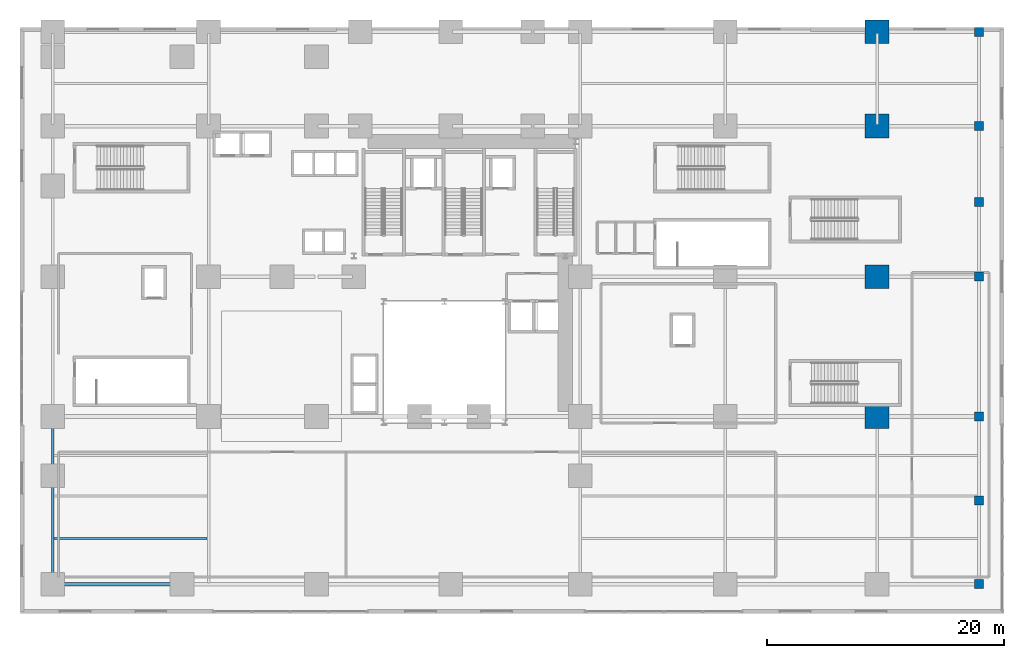
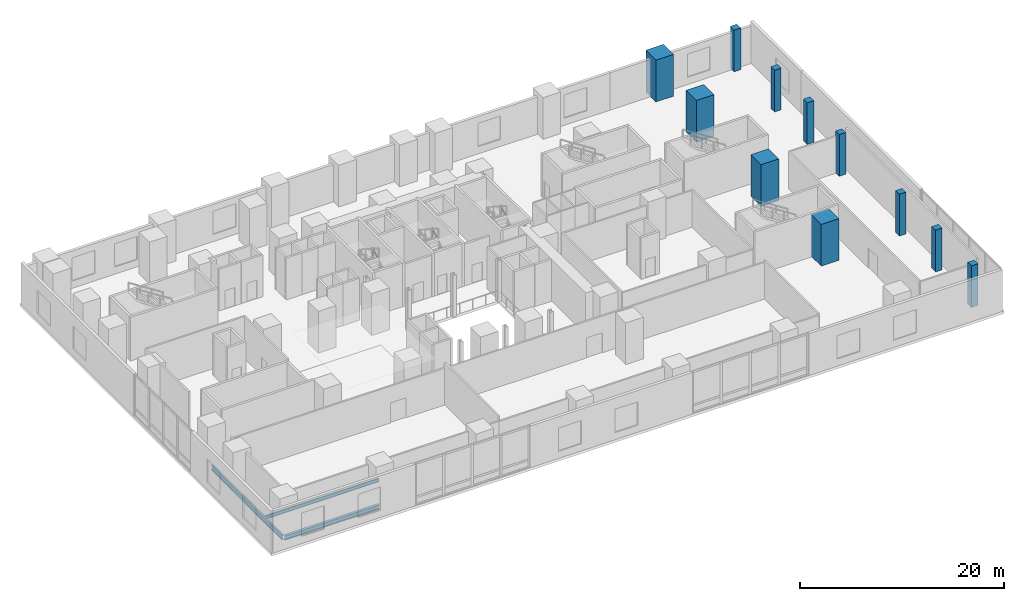
# One storey, part 2 of 15: 11 columns, 3 beams.
"""IFC4 building model written with IfcOpenShell, lengths in metres."""

from ifc_helpers import new_model, si_unit, direction, frame, origin, origin_2d, place, context, subcontext, project, spatial, rectangle, i_section, extrude, source, transform, mapped, material, material_profile, profile_set, type_object, element, save


model = new_model("IFC4")

# Units and contexts
model_context = context("Model", 3, precision=1e-05, world=origin(), true_north=direction((0.0, 1.0)))
body_context = subcontext(model_context, "Body", "Model", "MODEL_VIEW")
ifc_project = project(units=[si_unit("LENGTHUNIT", "METRE"), si_unit("AREAUNIT", "SQUARE_METRE"), si_unit("VOLUMEUNIT", "CUBIC_METRE"), si_unit("PLANEANGLEUNIT", "RADIAN"), si_unit("MASSUNIT", "GRAM", prefix="KILO")], contexts=[model_context])

# Site, building, storey
site_placement = place(None, origin())
site = spatial("IfcSite", under=ifc_project, at=site_placement, CompositionType="ELEMENT")
building_placement = place(site_placement, origin())
building = spatial("IfcBuilding", under=site, at=building_placement, Name="Vardaveli Station Tower", CompositionType="ELEMENT")
storey_placement = place(building_placement, frame((0.0, 0.0, 6.0)))
storey = spatial("IfcBuildingStorey", under=building, at=storey_placement, Name="L02", CompositionType="ELEMENT", Elevation=6.0)

# Columns
ifc_material_1 = material(Name="Concrete C70/85", Category="concrete")
ifc_material_profile_1 = material_profile(ifc_material_1, rectangle(XDim=2.0, YDim=2.0, at=origin_2d()), Name="SC 2000x2000")
ifc_profile_set_1 = profile_set([ifc_material_profile_1], Name="Concrete C70/85")
column_type_1 = type_object("IfcColumnType", Name="COL-SC-2000", PredefinedType="COLUMN", material=ifc_profile_set_1)
shared_shape_1 = source(origin(), body_context, "Body", "SweptSolid", [
    extrude(rectangle(XDim=2.0, YDim=2.0, at=origin_2d()), origin(), (0.0, 0.0, 1.0), 5.0),
])
for number, where, z_axis, x_axis, name in (
    (1, (72.800048828125, 17.10009765625, 0.0), (0.0, 0.0, 1.0), (1.0, 0.0, 0.0), "COL-L02-SC15"),
    (2, (72.800048828125, 28.89990234375, 0.0), (0.0, 0.0, 1.0), (1.0, 0.0, 0.0), "COL-L02-SC19"),
    (3, (72.800048828125, 41.60009765625, 0.0), (0.0, 0.0, 1.0), (1.0, 0.0, 0.0), "COL-L02-SC27"),
    (4, (72.800048828125, 49.550048828125, 0.0), (0.0, 0.0, 1.0), (1.0, 0.0, 0.0), "COL-L02-SC36"),
):
    element("IfcColumn", number, at=place(storey_placement, frame(where, z_axis=z_axis, x_axis=x_axis)), inside=storey, type_object=column_type_1, Name=name, PredefinedType="COLUMN", context=body_context, shape_type="MappedRepresentation", body=[
        mapped(shared_shape_1, transform((0.0, 0.0, 0.0), scale=1.0)),
    ])
ifc_material_2 = material(Name="Precast concrete C45/55", Category="concrete")
ifc_material_profile_2 = material_profile(ifc_material_2, rectangle(XDim=0.75, YDim=0.75, at=origin_2d()), Name="LPF 750x750")
ifc_profile_set_2 = profile_set([ifc_material_profile_2], Name="Precast concrete C45/55")
column_type_2 = type_object("IfcColumnType", Name="COL-LPF-750", PredefinedType="COLUMN", material=ifc_profile_set_2)
shared_shape_2 = source(origin(), body_context, "Body", "SweptSolid", [
    extrude(rectangle(XDim=0.75, YDim=0.75, at=origin_2d()), origin(), (0.0, 0.0, 1.0), 5.0),
])
for number, where, z_axis, x_axis, name in (
    (5, (81.39990234375, 2.949951171875, 0.0), (0.0, 0.0, 1.0), (1.0, 0.0, 0.0), "COL-L02-EC01"),
    (6, (81.39990234375, 10.0, 0.0), (0.0, 0.0, 1.0), (1.0, 0.0, 0.0), "COL-L02-EC02"),
    (7, (81.39990234375, 17.10009765625, 0.0), (0.0, 0.0, 1.0), (1.0, 0.0, 0.0), "COL-L02-EC03"),
    (8, (81.39990234375, 28.89990234375, 0.0), (0.0, 0.0, 1.0), (1.0, 0.0, 0.0), "COL-L02-EC04"),
    (9, (81.39990234375, 35.199951171875, 0.0), (0.0, 0.0, 1.0), (1.0, 0.0, 0.0), "COL-L02-EC05"),
    (10, (81.39990234375, 41.60009765625, 0.0), (0.0, 0.0, 1.0), (1.0, 0.0, 0.0), "COL-L02-EC06"),
    (11, (81.39990234375, 49.550048828125, 0.0), (0.0, 0.0, 1.0), (1.0, 0.0, 0.0), "COL-L02-EC07"),
):
    element("IfcColumn", number, at=place(storey_placement, frame(where, z_axis=z_axis, x_axis=x_axis)), inside=storey, type_object=column_type_2, Name=name, PredefinedType="COLUMN", context=body_context, shape_type="MappedRepresentation", body=[
        mapped(shared_shape_2, transform((0.0, 0.0, 0.0), scale=1.0)),
    ])

# Beams
ifc_material_3 = material(Name="Structural steel S355J2", Category="steel")
ifc_material_profile_3 = material_profile(ifc_material_3, i_section(OverallWidth=0.305908203125, OverallDepth=0.52392578125, WebThickness=0.02099609375, FlangeThickness=0.0400390625, FilletRadius=0.027099609375, at=origin_2d()), Name="HEM 500")
ifc_profile_set_3 = profile_set([ifc_material_profile_3], Name="Structural steel S355J2")
beam_type_1 = type_object("IfcBeamType", Name="BM-HEM500", PredefinedType="BEAM", material=ifc_profile_set_3)
shared_shape_3 = source(origin(), body_context, "Body", "SweptSolid", [
    extrude(i_section(OverallWidth=0.305908203125, OverallDepth=0.52392578125, WebThickness=0.02099609375, FlangeThickness=0.0400390625, FilletRadius=0.027099609375, at=origin_2d()), origin(), (0.0, 0.0, 1.0), 10.669921875),
])
beam_1_placement = place(storey_placement, frame((3.3701171875, 2.949951171875, -0.58203125), z_axis=(1.0, 0.0, 0.0), x_axis=(0.0, 1.0, 0.0)))
element("IfcBeam", 12, at=beam_1_placement, inside=storey, type_object=beam_type_1, Name="PBM-L02-EW0-0", PredefinedType="BEAM", context=body_context, shape_type="MappedRepresentation", body=[
    mapped(shared_shape_3, transform((0.0, 0.0, 0.0), scale=1.0)),
])
ifc_material_profile_4 = material_profile(ifc_material_3, i_section(OverallWidth=0.219970703125, OverallDepth=0.60009765625, WebThickness=0.011962890625, FlangeThickness=0.01904296875, FilletRadius=0.02392578125, at=origin_2d()), Name="IPE 600")
ifc_profile_set_4 = profile_set([ifc_material_profile_4], Name="Structural steel S355J2")
beam_type_2 = type_object("IfcBeamType", Name="BM-IPE600", PredefinedType="BEAM", material=ifc_profile_set_4)
shared_shape_4 = source(origin(), body_context, "Body", "SweptSolid", [
    extrude(i_section(OverallWidth=0.219970703125, OverallDepth=0.60009765625, WebThickness=0.011962890625, FlangeThickness=0.01904296875, FilletRadius=0.02392578125, at=origin_2d()), origin(), (0.0, 0.0, 1.0), 13.909912109375),
])
beam_2_placement = place(storey_placement, frame((3.25, 3.070068359375, -0.6201171875), z_axis=(0.0, 1.0, 0.0), x_axis=(-1.0, 0.0, 0.0)))
element("IfcBeam", 13, at=beam_2_placement, inside=storey, type_object=beam_type_2, Name="PBM-L02-NS0-0", PredefinedType="BEAM", context=body_context, shape_type="MappedRepresentation", body=[
    mapped(shared_shape_4, transform((0.0, 0.0, 0.0), scale=1.0)),
])
ifc_material_profile_5 = material_profile(ifc_material_3, i_section(OverallWidth=0.179931640625, OverallDepth=0.39990234375, WebThickness=0.008544921875, FlangeThickness=0.013427734375, FilletRadius=0.02099609375, at=origin_2d()), Name="IPE 400")
ifc_profile_set_5 = profile_set([ifc_material_profile_5], Name="Structural steel S355J2")
beam_type_3 = type_object("IfcBeamType", Name="BM-IPE400", PredefinedType="JOIST", material=ifc_profile_set_5)
shared_shape_5 = source(origin(), body_context, "Body", "SweptSolid", [
    extrude(i_section(OverallWidth=0.179931640625, OverallDepth=0.39990234375, WebThickness=0.008544921875, FlangeThickness=0.013427734375, FilletRadius=0.02099609375, at=origin_2d()), origin(), (0.0, 0.0, 1.0), 12.926025390625),
])
beam_3_placement = place(storey_placement, frame((3.362060546875, 6.800048828125, -0.52001953125), z_axis=(1.0, 0.0, 0.0), x_axis=(0.0, 1.0, 0.0)))
element("IfcBeam", 14, at=beam_3_placement, inside=storey, type_object=beam_type_3, Name="PJ-L02-1-0", PredefinedType="JOIST", context=body_context, shape_type="MappedRepresentation", body=[
    mapped(shared_shape_5, transform((0.0, 0.0, 0.0), scale=1.0)),
])

save(model, "model.ifc")
